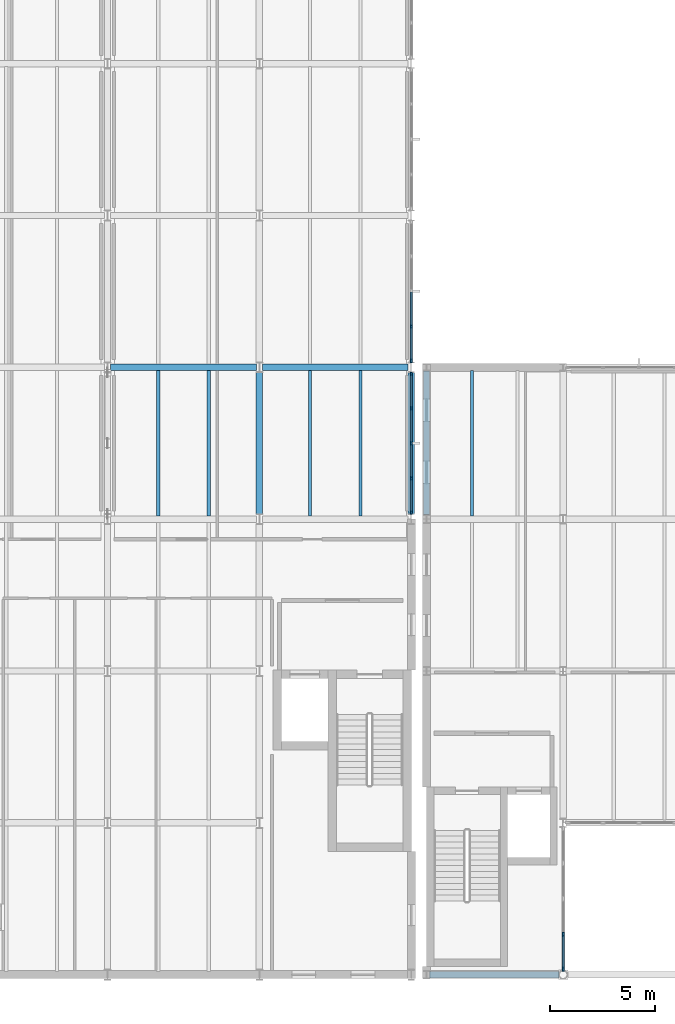
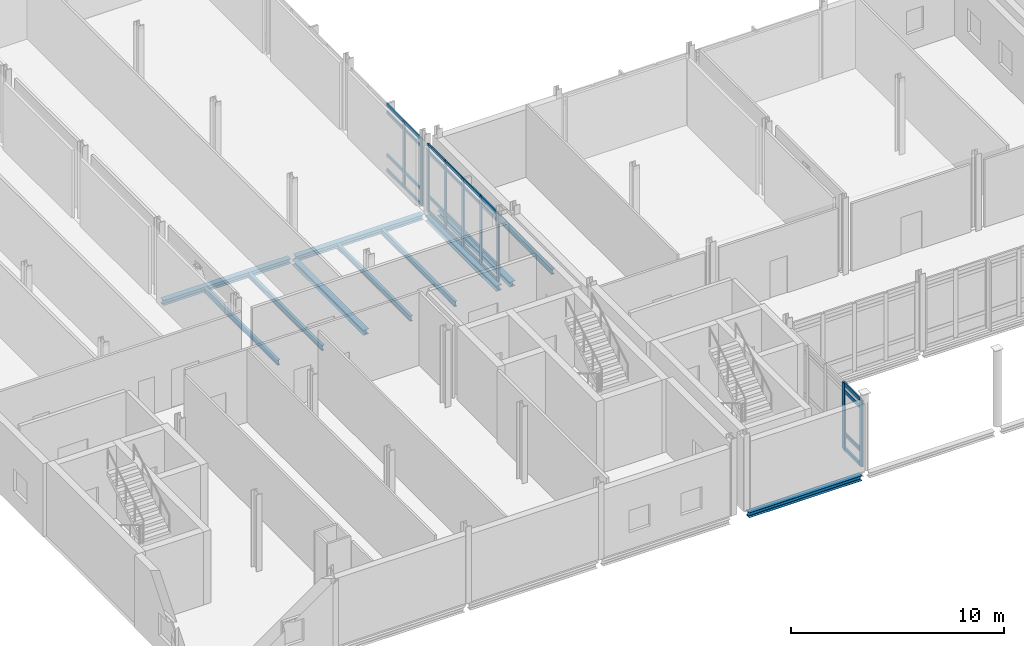
# One storey, part 13 of 76: 37 members, 11 beams, 3 elements without a shape of their own.
"""IFC4 building model written with IfcOpenShell, lengths in metres."""

from ifc_helpers import new_model, si_unit, direction, frame, origin, origin_2d, place, context, subcontext, project, spatial, rectangle, i_section, extrude, material, layer, layer_set, material_profile, profile_set, type_object, element, aggregate, save


model = new_model("IFC4")

# Units and contexts
model_context = context("Model", 3, precision=1e-05, world=origin(), true_north=direction((0.0, 1.0)))
body_context = subcontext(model_context, "Body", "Model", "MODEL_VIEW")
ifc_project = project(units=[si_unit("LENGTHUNIT", "METRE"), si_unit("AREAUNIT", "SQUARE_METRE"), si_unit("VOLUMEUNIT", "CUBIC_METRE"), si_unit("PLANEANGLEUNIT", "RADIAN"), si_unit("MASSUNIT", "GRAM", prefix="KILO")], contexts=[model_context])

# Site, building, storey
site_placement = place(None, origin())
site = spatial("IfcSite", under=ifc_project, at=site_placement, CompositionType="ELEMENT")
building_placement = place(site_placement, origin())
building = spatial("IfcBuilding", under=site, at=building_placement, Name="Zarrinpeak Specialist Clinic", CompositionType="ELEMENT")
storey_placement = place(building_placement, frame((0.0, 0.0, 5.199951171875)))
storey = spatial("IfcBuildingStorey", under=building, at=storey_placement, Name="L01", CompositionType="ELEMENT", Elevation=5.199951171875)

# Beams
ifc_material_1 = material(Name="Steel S355", Category="steel")
ifc_material_profile_1 = material_profile(ifc_material_1, i_section(OverallWidth=0.300048828125, OverallDepth=0.2900390625, WebThickness=0.008544921875, FlangeThickness=0.013916015625, FilletRadius=0.027099609375, at=origin_2d()), Name="HEA 300")
ifc_profile_set_1 = profile_set([ifc_material_profile_1], Name="Steel S355")
beam_type_1 = type_object("IfcBeamType", Name="BM-HEA300", PredefinedType="BEAM", material=ifc_profile_set_1)
beam_1_placement = place(storey_placement, frame((29.66796875, 0.0, -0.375), z_axis=(1.0, 0.0, 0.0), x_axis=(0.0, 1.0, 0.0)))
element("IfcBeam", 1, at=beam_1_placement, inside=storey, type_object=beam_type_1, Name="L01 Primary Floor Girder BM-L01-X0716", PredefinedType="BEAM", context=body_context, shape_type="SweptSolid", body=[
    extrude(i_section(OverallWidth=0.300048828125, OverallDepth=0.2900390625, WebThickness=0.008544921875, FlangeThickness=0.013916015625, FilletRadius=0.027099609375, at=origin_2d()), origin(), (0.0, 0.0, 1.0), 6.130859375),
])
beam_2_placement = place(storey_placement, frame((14.548095703125, 28.800048828125, -0.375), z_axis=(1.0, 0.0, 0.0), x_axis=(0.0, 1.0, 0.0)))
element("IfcBeam", 2, at=beam_2_placement, inside=storey, type_object=beam_type_1, Name="L01 Primary Floor Girder BM-L01-X0753", PredefinedType="BEAM", context=body_context, shape_type="SweptSolid", body=[
    extrude(i_section(OverallWidth=0.300048828125, OverallDepth=0.2900390625, WebThickness=0.008544921875, FlangeThickness=0.013916015625, FilletRadius=0.027099609375, at=origin_2d()), origin(), (0.0, 0.0, 1.0), 6.90380859375),
])
beam_3_placement = place(storey_placement, frame((21.748046875, 28.800048828125, -0.375), z_axis=(1.0, 0.0, 0.0), x_axis=(0.0, 1.0, 0.0)))
element("IfcBeam", 3, at=beam_3_placement, inside=storey, type_object=beam_type_1, Name="L01 Primary Floor Girder BM-L01-X0754", PredefinedType="BEAM", context=body_context, shape_type="SweptSolid", body=[
    extrude(i_section(OverallWidth=0.300048828125, OverallDepth=0.2900390625, WebThickness=0.008544921875, FlangeThickness=0.013916015625, FilletRadius=0.027099609375, at=origin_2d()), origin(), (0.0, 0.0, 1.0), 6.904052734375),
])
for number, where, z_axis, x_axis, name in (
    (4, (21.60009765625, 21.847900390625, -0.375), (0.0, 1.0, 0.0), (-1.0, 0.0, 0.0), "L01 Primary Beam BM-L01-Y0865"),
    (5, (28.800048828125, 21.847900390625, -0.375), (0.0, 1.0, 0.0), (-1.0, 0.0, 0.0), "L01 Primary Beam BM-L01-Y0874"),
):
    element("IfcBeam", number, at=place(storey_placement, frame(where, z_axis=z_axis, x_axis=x_axis)), inside=storey, type_object=beam_type_1, Name=name, PredefinedType="BEAM", context=body_context, shape_type="SweptSolid", body=[
        extrude(i_section(OverallWidth=0.300048828125, OverallDepth=0.2900390625, WebThickness=0.008544921875, FlangeThickness=0.013916015625, FilletRadius=0.027099609375, at=origin_2d()), origin(), (0.0, 0.0, 1.0), 6.7041015625),
    ])
beam_4_placement = place(storey_placement, frame((29.52001953125, 21.822998046875, -0.375), z_axis=(0.0, 1.0, 0.0), x_axis=(-1.0, 0.0, 0.0)))
element("IfcBeam", 6, at=beam_4_placement, inside=storey, type_object=beam_type_1, Name="L01 Primary Beam BM-L01-Y0882", PredefinedType="BEAM", context=body_context, shape_type="SweptSolid", body=[
    extrude(i_section(OverallWidth=0.300048828125, OverallDepth=0.2900390625, WebThickness=0.008544921875, FlangeThickness=0.013916015625, FilletRadius=0.027099609375, at=origin_2d()), origin(), (0.0, 0.0, 1.0), 6.799072265625),
])
ifc_material_profile_2 = material_profile(ifc_material_1, i_section(OverallWidth=0.14990234375, OverallDepth=0.300048828125, WebThickness=0.007080078125, FlangeThickness=0.0107421875, FilletRadius=0.014892578125, at=origin_2d()), Name="IPE 300")
ifc_profile_set_2 = profile_set([ifc_material_profile_2], Name="Steel S355")
beam_type_2 = type_object("IfcBeamType", Name="BM-JST300", PredefinedType="JOIST", material=ifc_profile_set_2)
for number, where, z_axis, x_axis, name in (
    (7, (16.800048828125, 21.748046875, -0.3798828125), (0.0, 1.0, 0.0), (-1.0, 0.0, 0.0), "L01 Composite Floor Joist JST-L01-0973"),
    (8, (19.199951171875, 21.748046875, -0.3798828125), (0.0, 1.0, 0.0), (-1.0, 0.0, 0.0), "L01 Composite Floor Joist JST-L01-0974"),
    (9, (24.0, 21.748046875, -0.3798828125), (0.0, 1.0, 0.0), (-1.0, 0.0, 0.0), "L01 Composite Floor Joist JST-L01-0981"),
    (10, (26.39990234375, 21.748046875, -0.3798828125), (0.0, 1.0, 0.0), (-1.0, 0.0, 0.0), "L01 Composite Floor Joist JST-L01-0982"),
    (11, (31.679931640625, 21.748046875, -0.3798828125), (0.0, 1.0, 0.0), (-1.0, 0.0, 0.0), "L01 Composite Floor Joist JST-L01-0991"),
):
    element("IfcBeam", number, at=place(storey_placement, frame(where, z_axis=z_axis, x_axis=x_axis)), inside=storey, type_object=beam_type_2, Name=name, PredefinedType="JOIST", context=body_context, shape_type="SweptSolid", body=[
        extrude(i_section(OverallWidth=0.14990234375, OverallDepth=0.300048828125, WebThickness=0.007080078125, FlangeThickness=0.0107421875, FilletRadius=0.014892578125, at=origin_2d()), origin(), (0.0, 0.0, 1.0), 6.904052734375),
    ])

# Curtain wall, members
ifc_material_2 = material(Name="Anodised Aluminium Alloy 6063-T6", Category="aluminium")
ifc_layer_1 = layer(ifc_material_2, 0.179931640625)
ifc_layer_set_1 = layer_set([ifc_layer_1], Name="Anodised Aluminium Alloy 6063-T6")
curtain_wall_type_1 = type_object("IfcCurtainWallType", Name="CW-COURT", PredefinedType="NOTDEFINED", material=ifc_layer_set_1)
curtain_wall_1_placement = place(storey_placement, origin())
curtain_wall_1 = element("IfcCurtainWall", 12, at=curtain_wall_1_placement, inside=storey, type_object=curtain_wall_type_1, Name="L01 V1 Unitised Curtain Wall CW-L01-V1-009", PredefinedType="NOTDEFINED")
ifc_material_profile_3 = material_profile(ifc_material_2, rectangle(XDim=0.074951171875, YDim=0.179931640625, at=origin_2d()), Name="ALU 75x180")
ifc_profile_set_3 = profile_set([ifc_material_profile_3], Name="Anodised Aluminium Alloy 6063-T6")
member_type_1 = type_object("IfcMemberType", Name="CWM-75", PredefinedType="MULLION", material=ifc_profile_set_3)
member_1_placement = place(storey_placement, frame((28.800048828125, 21.91259765625, 0.0), z_axis=(0.0, 0.0, 1.0), x_axis=(-1.0, 0.0, 0.0)))
member_1 = element("IfcMember", 13, at=member_1_placement, type_object=member_type_1, Name="CW-01 mullion 1", PredefinedType="MULLION", context=body_context, shape_type="SweptSolid", body=[
    extrude(rectangle(XDim=0.074951171875, YDim=0.179931640625, at=origin_2d()), origin(), (0.0, 0.0, 1.0), 3.880126953125),
])
member_2_placement = place(storey_placement, frame((28.800048828125, 23.53759765625, 0.0), z_axis=(0.0, 0.0, 1.0), x_axis=(-1.0, 0.0, 0.0)))
member_2 = element("IfcMember", 14, at=member_2_placement, type_object=member_type_1, Name="CW-01 mullion 2", PredefinedType="MULLION", context=body_context, shape_type="SweptSolid", body=[
    extrude(rectangle(XDim=0.074951171875, YDim=0.179931640625, at=origin_2d()), origin(), (0.0, 0.0, 1.0), 3.880126953125),
])
member_3_placement = place(storey_placement, frame((28.800048828125, 25.199951171875, 0.0), z_axis=(0.0, 0.0, 1.0), x_axis=(-1.0, 0.0, 0.0)))
member_3 = element("IfcMember", 15, at=member_3_placement, type_object=member_type_1, Name="CW-01 mullion 3", PredefinedType="MULLION", context=body_context, shape_type="SweptSolid", body=[
    extrude(rectangle(XDim=0.074951171875, YDim=0.179931640625, at=origin_2d()), origin(), (0.0, 0.0, 1.0), 3.880126953125),
])
member_4_placement = place(storey_placement, frame((28.800048828125, 26.862548828125, 0.0), z_axis=(0.0, 0.0, 1.0), x_axis=(-1.0, 0.0, 0.0)))
member_4 = element("IfcMember", 16, at=member_4_placement, type_object=member_type_1, Name="CW-01 mullion 4", PredefinedType="MULLION", context=body_context, shape_type="SweptSolid", body=[
    extrude(rectangle(XDim=0.074951171875, YDim=0.179931640625, at=origin_2d()), origin(), (0.0, 0.0, 1.0), 3.880126953125),
])
member_5_placement = place(storey_placement, frame((28.800048828125, 28.487548828125, 0.0), z_axis=(0.0, 0.0, 1.0), x_axis=(-1.0, 0.0, 0.0)))
member_5 = element("IfcMember", 17, at=member_5_placement, type_object=member_type_1, Name="CW-01 mullion 5", PredefinedType="MULLION", context=body_context, shape_type="SweptSolid", body=[
    extrude(rectangle(XDim=0.074951171875, YDim=0.179931640625, at=origin_2d()), origin(), (0.0, 0.0, 1.0), 3.880126953125),
])

curtain_wall_2_placement = place(storey_placement, origin())
curtain_wall_2 = element("IfcCurtainWall", 18, at=curtain_wall_2_placement, inside=storey, type_object=curtain_wall_type_1, Name="L01 V1 Unitised Curtain Wall CW-L01-V1-010", PredefinedType="NOTDEFINED")
member_6_placement = place(storey_placement, frame((28.800048828125, 29.112548828125, 0.0), z_axis=(0.0, 0.0, 1.0), x_axis=(-1.0, 0.0, 0.0)))
member_6 = element("IfcMember", 19, at=member_6_placement, type_object=member_type_1, Name="CW-01 mullion 1", PredefinedType="MULLION", context=body_context, shape_type="SweptSolid", body=[
    extrude(rectangle(XDim=0.074951171875, YDim=0.179931640625, at=origin_2d()), origin(), (0.0, 0.0, 1.0), 3.81005859375),
])
member_7_placement = place(storey_placement, frame((28.800048828125, 30.737548828125, 0.0), z_axis=(0.0, 0.0, 1.0), x_axis=(-1.0, 0.0, 0.0)))
member_7 = element("IfcMember", 20, at=member_7_placement, type_object=member_type_1, Name="CW-01 mullion 2", PredefinedType="MULLION", context=body_context, shape_type="SweptSolid", body=[
    extrude(rectangle(XDim=0.074951171875, YDim=0.179931640625, at=origin_2d()), origin(), (0.0, 0.0, 1.0), 3.81005859375),
])

ifc_layer_2 = layer(ifc_material_2, 0.18994140625)
ifc_layer_set_2 = layer_set([ifc_layer_2], Name="Anodised Aluminium Alloy 6063-T6")
curtain_wall_type_2 = type_object("IfcCurtainWallType", Name="CW-LOGGIA", PredefinedType="NOTDEFINED", material=ifc_layer_set_2)
curtain_wall_3_placement = place(storey_placement, origin())
curtain_wall_3 = element("IfcCurtainWall", 21, at=curtain_wall_3_placement, inside=storey, type_object=curtain_wall_type_2, Name="L01 V2 Unitised Curtain Wall CW-L01-V2-047", PredefinedType="NOTDEFINED")
ifc_material_profile_4 = material_profile(ifc_material_2, rectangle(XDim=0.090087890625, YDim=0.219970703125, at=origin_2d()), Name="ALU 90x220")
ifc_profile_set_4 = profile_set([ifc_material_profile_4], Name="Anodised Aluminium Alloy 6063-T6")
member_type_2 = type_object("IfcMemberType", Name="CWM-90", PredefinedType="MULLION", material=ifc_profile_set_4)
member_8_placement = place(storey_placement, frame((36.0, 0.273193359375, 0.0), z_axis=(0.0, 0.0, 1.0), x_axis=(-1.0, 0.0, 0.0)))
member_8 = element("IfcMember", 22, at=member_8_placement, type_object=member_type_2, Name="CW-04 mullion 1", PredefinedType="MULLION", context=body_context, shape_type="SweptSolid", body=[
    extrude(rectangle(XDim=0.090087890625, YDim=0.219970703125, at=origin_2d()), origin(), (0.0, 0.0, 1.0), 3.81005859375),
])
member_9_placement = place(storey_placement, frame((36.0, 1.914794921875, 0.0), z_axis=(0.0, 0.0, 1.0), x_axis=(-1.0, 0.0, 0.0)))
member_9 = element("IfcMember", 23, at=member_9_placement, type_object=member_type_2, Name="CW-04 mullion 2", PredefinedType="MULLION", context=body_context, shape_type="SweptSolid", body=[
    extrude(rectangle(XDim=0.090087890625, YDim=0.219970703125, at=origin_2d()), origin(), (0.0, 0.0, 1.0), 3.81005859375),
])

# Member
ifc_material_profile_5 = material_profile(ifc_material_2, rectangle(XDim=0.074951171875, YDim=0.159912109375, at=origin_2d()), Name="ALU 75x160")
ifc_profile_set_5 = profile_set([ifc_material_profile_5], Name="Anodised Aluminium Alloy 6063-T6")
member_type_3 = type_object("IfcMemberType", Name="CWT-75", PredefinedType="USERDEFINED", material=ifc_profile_set_5)
member_10_placement = place(storey_placement, frame((28.800048828125, 21.949951171875, 0.03759765625), z_axis=(0.0, 1.0, 0.0), x_axis=(-1.0, 0.0, 0.0)))
member_10 = element("IfcMember", 24, at=member_10_placement, type_object=member_type_3, Name="CW-01 transom 1.1", ObjectType="TRANSOM", PredefinedType="USERDEFINED", context=body_context, shape_type="SweptSolid", body=[
    extrude(rectangle(XDim=0.074951171875, YDim=0.159912109375, at=origin_2d()), origin(), (0.0, 0.0, 1.0), 1.550048828125),
])

member_11_placement = place(storey_placement, frame((28.800048828125, 21.949951171875, 0.900146484375), z_axis=(0.0, 1.0, 0.0), x_axis=(-1.0, 0.0, 0.0)))
member_11 = element("IfcMember", 25, at=member_11_placement, type_object=member_type_3, Name="CW-01 transom 1.2", ObjectType="TRANSOM", PredefinedType="USERDEFINED", context=body_context, shape_type="SweptSolid", body=[
    extrude(rectangle(XDim=0.074951171875, YDim=0.159912109375, at=origin_2d()), origin(), (0.0, 0.0, 1.0), 1.550048828125),
])

member_12_placement = place(storey_placement, frame((28.800048828125, 21.949951171875, 3.429931640625), z_axis=(0.0, 1.0, 0.0), x_axis=(-1.0, 0.0, 0.0)))
member_12 = element("IfcMember", 26, at=member_12_placement, type_object=member_type_3, Name="CW-01 transom 1.3", ObjectType="TRANSOM", PredefinedType="USERDEFINED", context=body_context, shape_type="SweptSolid", body=[
    extrude(rectangle(XDim=0.074951171875, YDim=0.159912109375, at=origin_2d()), origin(), (0.0, 0.0, 1.0), 1.550048828125),
])

member_13_placement = place(storey_placement, frame((28.800048828125, 21.949951171875, 3.842529296875), z_axis=(0.0, 1.0, 0.0), x_axis=(-1.0, 0.0, 0.0)))
member_13 = element("IfcMember", 27, at=member_13_placement, type_object=member_type_3, Name="CW-01 transom 1.4", ObjectType="TRANSOM", PredefinedType="USERDEFINED", context=body_context, shape_type="SweptSolid", body=[
    extrude(rectangle(XDim=0.074951171875, YDim=0.159912109375, at=origin_2d()), origin(), (0.0, 0.0, 1.0), 1.550048828125),
])

member_14_placement = place(storey_placement, frame((28.800048828125, 23.574951171875, 0.03759765625), z_axis=(0.0, 1.0, 0.0), x_axis=(-1.0, 0.0, 0.0)))
member_14 = element("IfcMember", 28, at=member_14_placement, type_object=member_type_3, Name="CW-01 transom 2.1", ObjectType="TRANSOM", PredefinedType="USERDEFINED", context=body_context, shape_type="SweptSolid", body=[
    extrude(rectangle(XDim=0.074951171875, YDim=0.159912109375, at=origin_2d()), origin(), (0.0, 0.0, 1.0), 1.587646484375),
])

member_15_placement = place(storey_placement, frame((28.800048828125, 23.574951171875, 0.900146484375), z_axis=(0.0, 1.0, 0.0), x_axis=(-1.0, 0.0, 0.0)))
member_15 = element("IfcMember", 29, at=member_15_placement, type_object=member_type_3, Name="CW-01 transom 2.2", ObjectType="TRANSOM", PredefinedType="USERDEFINED", context=body_context, shape_type="SweptSolid", body=[
    extrude(rectangle(XDim=0.074951171875, YDim=0.159912109375, at=origin_2d()), origin(), (0.0, 0.0, 1.0), 1.587646484375),
])

member_16_placement = place(storey_placement, frame((28.800048828125, 23.574951171875, 3.429931640625), z_axis=(0.0, 1.0, 0.0), x_axis=(-1.0, 0.0, 0.0)))
member_16 = element("IfcMember", 30, at=member_16_placement, type_object=member_type_3, Name="CW-01 transom 2.3", ObjectType="TRANSOM", PredefinedType="USERDEFINED", context=body_context, shape_type="SweptSolid", body=[
    extrude(rectangle(XDim=0.074951171875, YDim=0.159912109375, at=origin_2d()), origin(), (0.0, 0.0, 1.0), 1.587646484375),
])

member_17_placement = place(storey_placement, frame((28.800048828125, 23.574951171875, 3.842529296875), z_axis=(0.0, 1.0, 0.0), x_axis=(-1.0, 0.0, 0.0)))
member_17 = element("IfcMember", 31, at=member_17_placement, type_object=member_type_3, Name="CW-01 transom 2.4", ObjectType="TRANSOM", PredefinedType="USERDEFINED", context=body_context, shape_type="SweptSolid", body=[
    extrude(rectangle(XDim=0.074951171875, YDim=0.159912109375, at=origin_2d()), origin(), (0.0, 0.0, 1.0), 1.587646484375),
])

member_18_placement = place(storey_placement, frame((28.800048828125, 25.237548828125, 0.03759765625), z_axis=(0.0, 1.0, 0.0), x_axis=(-1.0, 0.0, 0.0)))
member_18 = element("IfcMember", 32, at=member_18_placement, type_object=member_type_3, Name="CW-01 transom 3.1", ObjectType="TRANSOM", PredefinedType="USERDEFINED", context=body_context, shape_type="SweptSolid", body=[
    extrude(rectangle(XDim=0.074951171875, YDim=0.159912109375, at=origin_2d()), origin(), (0.0, 0.0, 1.0), 1.58740234375),
])

member_19_placement = place(storey_placement, frame((28.800048828125, 25.237548828125, 0.900146484375), z_axis=(0.0, 1.0, 0.0), x_axis=(-1.0, 0.0, 0.0)))
member_19 = element("IfcMember", 33, at=member_19_placement, type_object=member_type_3, Name="CW-01 transom 3.2", ObjectType="TRANSOM", PredefinedType="USERDEFINED", context=body_context, shape_type="SweptSolid", body=[
    extrude(rectangle(XDim=0.074951171875, YDim=0.159912109375, at=origin_2d()), origin(), (0.0, 0.0, 1.0), 1.58740234375),
])

member_20_placement = place(storey_placement, frame((28.800048828125, 25.237548828125, 3.429931640625), z_axis=(0.0, 1.0, 0.0), x_axis=(-1.0, 0.0, 0.0)))
member_20 = element("IfcMember", 34, at=member_20_placement, type_object=member_type_3, Name="CW-01 transom 3.3", ObjectType="TRANSOM", PredefinedType="USERDEFINED", context=body_context, shape_type="SweptSolid", body=[
    extrude(rectangle(XDim=0.074951171875, YDim=0.159912109375, at=origin_2d()), origin(), (0.0, 0.0, 1.0), 1.58740234375),
])

member_21_placement = place(storey_placement, frame((28.800048828125, 25.237548828125, 3.842529296875), z_axis=(0.0, 1.0, 0.0), x_axis=(-1.0, 0.0, 0.0)))
member_21 = element("IfcMember", 35, at=member_21_placement, type_object=member_type_3, Name="CW-01 transom 3.4", ObjectType="TRANSOM", PredefinedType="USERDEFINED", context=body_context, shape_type="SweptSolid", body=[
    extrude(rectangle(XDim=0.074951171875, YDim=0.159912109375, at=origin_2d()), origin(), (0.0, 0.0, 1.0), 1.58740234375),
])

member_22_placement = place(storey_placement, frame((28.800048828125, 26.89990234375, 0.03759765625), z_axis=(0.0, 1.0, 0.0), x_axis=(-1.0, 0.0, 0.0)))
member_22 = element("IfcMember", 36, at=member_22_placement, type_object=member_type_3, Name="CW-01 transom 4.1", ObjectType="TRANSOM", PredefinedType="USERDEFINED", context=body_context, shape_type="SweptSolid", body=[
    extrude(rectangle(XDim=0.074951171875, YDim=0.159912109375, at=origin_2d()), origin(), (0.0, 0.0, 1.0), 1.550048828125),
])

member_23_placement = place(storey_placement, frame((28.800048828125, 26.89990234375, 0.900146484375), z_axis=(0.0, 1.0, 0.0), x_axis=(-1.0, 0.0, 0.0)))
member_23 = element("IfcMember", 37, at=member_23_placement, type_object=member_type_3, Name="CW-01 transom 4.2", ObjectType="TRANSOM", PredefinedType="USERDEFINED", context=body_context, shape_type="SweptSolid", body=[
    extrude(rectangle(XDim=0.074951171875, YDim=0.159912109375, at=origin_2d()), origin(), (0.0, 0.0, 1.0), 1.550048828125),
])

member_24_placement = place(storey_placement, frame((28.800048828125, 26.89990234375, 3.429931640625), z_axis=(0.0, 1.0, 0.0), x_axis=(-1.0, 0.0, 0.0)))
member_24 = element("IfcMember", 38, at=member_24_placement, type_object=member_type_3, Name="CW-01 transom 4.3", ObjectType="TRANSOM", PredefinedType="USERDEFINED", context=body_context, shape_type="SweptSolid", body=[
    extrude(rectangle(XDim=0.074951171875, YDim=0.159912109375, at=origin_2d()), origin(), (0.0, 0.0, 1.0), 1.550048828125),
])

member_25_placement = place(storey_placement, frame((28.800048828125, 26.89990234375, 3.842529296875), z_axis=(0.0, 1.0, 0.0), x_axis=(-1.0, 0.0, 0.0)))
member_25 = element("IfcMember", 39, at=member_25_placement, type_object=member_type_3, Name="CW-01 transom 4.4", ObjectType="TRANSOM", PredefinedType="USERDEFINED", context=body_context, shape_type="SweptSolid", body=[
    extrude(rectangle(XDim=0.074951171875, YDim=0.159912109375, at=origin_2d()), origin(), (0.0, 0.0, 1.0), 1.550048828125),
])

aggregate(curtain_wall_1, [member_1, member_2, member_3, member_4, member_5, member_10, member_11, member_12, member_13, member_14, member_15, member_16, member_17, member_18, member_19, member_20, member_21, member_22, member_23, member_24, member_25])

member_26_placement = place(storey_placement, frame((28.800048828125, 29.14990234375, 0.03759765625), z_axis=(0.0, 1.0, 0.0), x_axis=(-1.0, 0.0, 0.0)))
member_26 = element("IfcMember", 40, at=member_26_placement, type_object=member_type_3, Name="CW-01 transom 1.1", ObjectType="TRANSOM", PredefinedType="USERDEFINED", context=body_context, shape_type="SweptSolid", body=[
    extrude(rectangle(XDim=0.074951171875, YDim=0.159912109375, at=origin_2d()), origin(), (0.0, 0.0, 1.0), 1.550048828125),
])

member_27_placement = place(storey_placement, frame((28.800048828125, 29.14990234375, 0.900146484375), z_axis=(0.0, 1.0, 0.0), x_axis=(-1.0, 0.0, 0.0)))
member_27 = element("IfcMember", 41, at=member_27_placement, type_object=member_type_3, Name="CW-01 transom 1.2", ObjectType="TRANSOM", PredefinedType="USERDEFINED", context=body_context, shape_type="SweptSolid", body=[
    extrude(rectangle(XDim=0.074951171875, YDim=0.159912109375, at=origin_2d()), origin(), (0.0, 0.0, 1.0), 1.550048828125),
])

member_28_placement = place(storey_placement, frame((28.800048828125, 29.14990234375, 3.360107421875), z_axis=(0.0, 1.0, 0.0), x_axis=(-1.0, 0.0, 0.0)))
member_28 = element("IfcMember", 42, at=member_28_placement, type_object=member_type_3, Name="CW-01 transom 1.3", ObjectType="TRANSOM", PredefinedType="USERDEFINED", context=body_context, shape_type="SweptSolid", body=[
    extrude(rectangle(XDim=0.074951171875, YDim=0.159912109375, at=origin_2d()), origin(), (0.0, 0.0, 1.0), 1.550048828125),
])

member_29_placement = place(storey_placement, frame((28.800048828125, 29.14990234375, 3.7724609375), z_axis=(0.0, 1.0, 0.0), x_axis=(-1.0, 0.0, 0.0)))
member_29 = element("IfcMember", 43, at=member_29_placement, type_object=member_type_3, Name="CW-01 transom 1.4", ObjectType="TRANSOM", PredefinedType="USERDEFINED", context=body_context, shape_type="SweptSolid", body=[
    extrude(rectangle(XDim=0.074951171875, YDim=0.159912109375, at=origin_2d()), origin(), (0.0, 0.0, 1.0), 1.550048828125),
])

member_30_placement = place(storey_placement, frame((28.800048828125, 30.77490234375, 0.03759765625), z_axis=(0.0, 1.0, 0.0), x_axis=(-1.0, 0.0, 0.0)))
member_30 = element("IfcMember", 44, at=member_30_placement, type_object=member_type_3, Name="CW-01 transom 2.1", ObjectType="TRANSOM", PredefinedType="USERDEFINED", context=body_context, shape_type="SweptSolid", body=[
    extrude(rectangle(XDim=0.074951171875, YDim=0.159912109375, at=origin_2d()), origin(), (0.0, 0.0, 1.0), 1.587646484375),
])

member_31_placement = place(storey_placement, frame((28.800048828125, 30.77490234375, 0.900146484375), z_axis=(0.0, 1.0, 0.0), x_axis=(-1.0, 0.0, 0.0)))
member_31 = element("IfcMember", 45, at=member_31_placement, type_object=member_type_3, Name="CW-01 transom 2.2", ObjectType="TRANSOM", PredefinedType="USERDEFINED", context=body_context, shape_type="SweptSolid", body=[
    extrude(rectangle(XDim=0.074951171875, YDim=0.159912109375, at=origin_2d()), origin(), (0.0, 0.0, 1.0), 1.587646484375),
])

member_32_placement = place(storey_placement, frame((28.800048828125, 30.77490234375, 3.360107421875), z_axis=(0.0, 1.0, 0.0), x_axis=(-1.0, 0.0, 0.0)))
member_32 = element("IfcMember", 46, at=member_32_placement, type_object=member_type_3, Name="CW-01 transom 2.3", ObjectType="TRANSOM", PredefinedType="USERDEFINED", context=body_context, shape_type="SweptSolid", body=[
    extrude(rectangle(XDim=0.074951171875, YDim=0.159912109375, at=origin_2d()), origin(), (0.0, 0.0, 1.0), 1.587646484375),
])

member_33_placement = place(storey_placement, frame((28.800048828125, 30.77490234375, 3.7724609375), z_axis=(0.0, 1.0, 0.0), x_axis=(-1.0, 0.0, 0.0)))
member_33 = element("IfcMember", 47, at=member_33_placement, type_object=member_type_3, Name="CW-01 transom 2.4", ObjectType="TRANSOM", PredefinedType="USERDEFINED", context=body_context, shape_type="SweptSolid", body=[
    extrude(rectangle(XDim=0.074951171875, YDim=0.159912109375, at=origin_2d()), origin(), (0.0, 0.0, 1.0), 1.587646484375),
])

aggregate(curtain_wall_2, [member_6, member_7, member_26, member_27, member_28, member_29, member_30, member_31, member_32, member_33])

ifc_material_profile_6 = material_profile(ifc_material_2, rectangle(XDim=0.090087890625, YDim=0.18994140625, at=origin_2d()), Name="ALU 90x190")
ifc_profile_set_6 = profile_set([ifc_material_profile_6], Name="Anodised Aluminium Alloy 6063-T6")
member_type_4 = type_object("IfcMemberType", Name="CWT-90", PredefinedType="USERDEFINED", material=ifc_profile_set_6)
member_34_placement = place(storey_placement, frame((36.0, 0.318115234375, 0.045166015625), z_axis=(0.0, 1.0, 0.0), x_axis=(-1.0, 0.0, 0.0)))
member_34 = element("IfcMember", 48, at=member_34_placement, type_object=member_type_4, Name="CW-04 transom 1.1", ObjectType="TRANSOM", PredefinedType="USERDEFINED", context=body_context, shape_type="SweptSolid", body=[
    extrude(rectangle(XDim=0.090087890625, YDim=0.18994140625, at=origin_2d()), origin(), (0.0, 0.0, 1.0), 1.5517578125),
])

member_35_placement = place(storey_placement, frame((36.0, 0.318115234375, 0.900146484375), z_axis=(0.0, 1.0, 0.0), x_axis=(-1.0, 0.0, 0.0)))
member_35 = element("IfcMember", 49, at=member_35_placement, type_object=member_type_4, Name="CW-04 transom 1.2", ObjectType="TRANSOM", PredefinedType="USERDEFINED", context=body_context, shape_type="SweptSolid", body=[
    extrude(rectangle(XDim=0.090087890625, YDim=0.18994140625, at=origin_2d()), origin(), (0.0, 0.0, 1.0), 1.5517578125),
])

member_36_placement = place(storey_placement, frame((36.0, 0.318115234375, 3.360107421875), z_axis=(0.0, 1.0, 0.0), x_axis=(-1.0, 0.0, 0.0)))
member_36 = element("IfcMember", 50, at=member_36_placement, type_object=member_type_4, Name="CW-04 transom 1.3", ObjectType="TRANSOM", PredefinedType="USERDEFINED", context=body_context, shape_type="SweptSolid", body=[
    extrude(rectangle(XDim=0.090087890625, YDim=0.18994140625, at=origin_2d()), origin(), (0.0, 0.0, 1.0), 1.5517578125),
])

member_37_placement = place(storey_placement, frame((36.0, 0.318115234375, 3.76513671875), z_axis=(0.0, 1.0, 0.0), x_axis=(-1.0, 0.0, 0.0)))
member_37 = element("IfcMember", 51, at=member_37_placement, type_object=member_type_4, Name="CW-04 transom 1.4", ObjectType="TRANSOM", PredefinedType="USERDEFINED", context=body_context, shape_type="SweptSolid", body=[
    extrude(rectangle(XDim=0.090087890625, YDim=0.18994140625, at=origin_2d()), origin(), (0.0, 0.0, 1.0), 1.5517578125),
])

aggregate(curtain_wall_3, [member_8, member_9, member_34, member_35, member_36, member_37])

save(model, "model.ifc")
